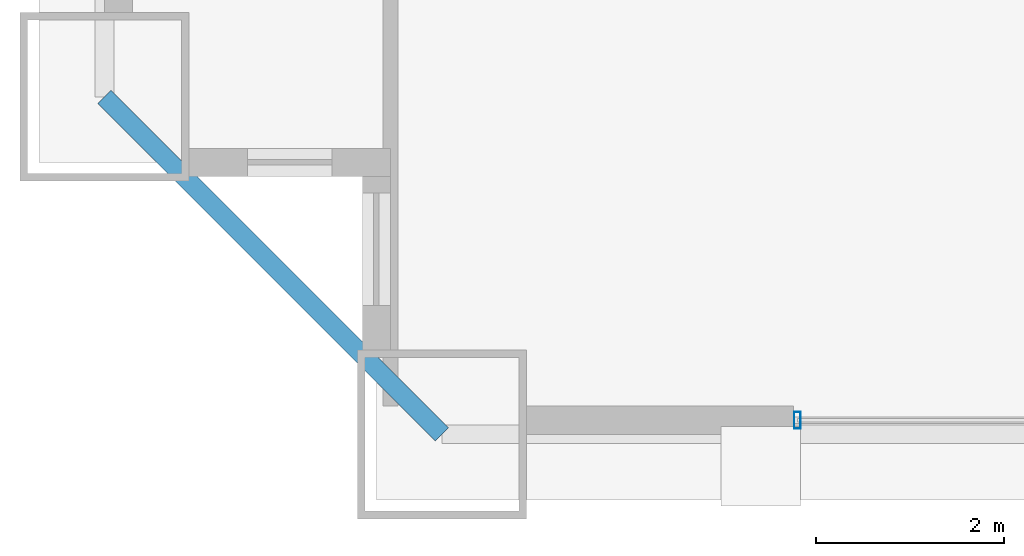
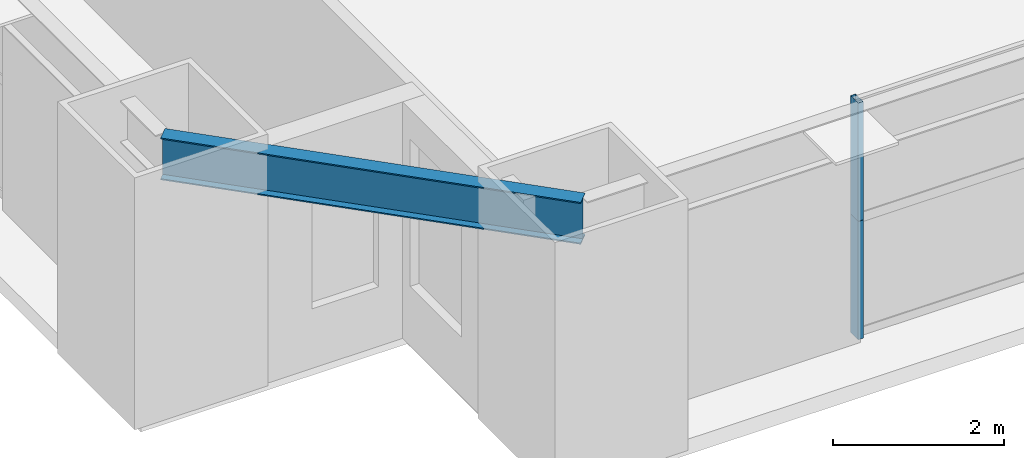
# One storey, part 3 of 45: 2 members, 1 beam, 1 element without a shape of its own.
"""IFC4 building model written with IfcOpenShell, lengths in metres."""

from ifc_helpers import new_model, si_unit, direction, frame, origin, origin_2d, place, context, subcontext, project, spatial, hollow_rectangle, i_section, extrude, source, transform, mapped, material, layer, layer_set, material_profile, profile_set, type_object, element, aggregate, save


model = new_model("IFC4")

# Units and contexts
model_context = context("Model", 3, precision=1e-05, world=origin(), true_north=direction((0.0, 1.0)))
body_context = subcontext(model_context, "Body", "Model", "MODEL_VIEW")
ifc_project = project(units=[si_unit("LENGTHUNIT", "METRE"), si_unit("AREAUNIT", "SQUARE_METRE"), si_unit("VOLUMEUNIT", "CUBIC_METRE"), si_unit("PLANEANGLEUNIT", "RADIAN"), si_unit("MASSUNIT", "GRAM", prefix="KILO"), si_unit("THERMODYNAMICTEMPERATUREUNIT", "KELVIN"), si_unit("POWERUNIT", "WATT")], contexts=[model_context])

# Site, building, storey
site_placement = place(None, origin())
site = spatial("IfcSite", under=ifc_project, at=site_placement, CompositionType="ELEMENT")
building_placement = place(site_placement, origin())
building = spatial("IfcBuilding", under=site, at=building_placement, Name="Yuzanri Waterfront Tower", CompositionType="ELEMENT")
storey_placement = place(building_placement, frame((0.0, 0.0, 49.60009765625)))
storey = spatial("IfcBuildingStorey", under=building, at=storey_placement, Name="L12", CompositionType="ELEMENT", Elevation=49.60009765625)

# Beam
ifc_material_1 = material(Name="Steel Q355B", Category="steel")
ifc_material_profile_1 = material_profile(ifc_material_1, i_section(OverallWidth=0.199951171875, OverallDepth=0.60009765625, WebThickness=0.010986328125, FlangeThickness=0.01708984375, at=origin_2d()), Name="HN 600x200x11x17")
ifc_profile_set_1 = profile_set([ifc_material_profile_1], Name="Steel Q355B")
beam_type = type_object("IfcBeamType", Name="Perimeter Spandrel Q355B HN 600x200", PredefinedType="SPANDREL", material=ifc_profile_set_1)
shared_shape_1 = source(origin(), body_context, "Body", "SweptSolid", [
    extrude(i_section(OverallWidth=0.199951171875, OverallDepth=0.60009765625, WebThickness=0.010986328125, FlangeThickness=0.01708984375, at=origin_2d()), origin(), (0.0, 0.0, 1.0), 5.09130859375),
])
beam_placement = place(storey_placement, frame((11.89990234375, 4.300048828125, 3.079833984375), z_axis=(0.707106781187, -0.707106781187, 0.0), x_axis=(0.707106781187, 0.707106781187, 0.0)))
element("IfcBeam", 1, at=beam_placement, inside=storey, type_object=beam_type, Name="L12 Perimeter Spandrel W1-S1", PredefinedType="SPANDREL", context=body_context, shape_type="MappedRepresentation", body=[
    mapped(shared_shape_1, transform((0.0, 0.0, 0.0), scale=1.0)),
])

# Curtain wall, members
ifc_material_2 = material(Name="Anodized Architectural Bronze", Category="metal")
ifc_layer = layer(ifc_material_2, 0.159912109375)
ifc_layer_set = layer_set([ifc_layer], Name="Anodized Architectural Bronze")
curtain_wall_type = type_object("IfcCurtainWallType", Name="Anodized Bronze Hotel Lower-Tier Recessed Unitized Curtain Wall 8100", PredefinedType="NOTDEFINED", material=ifc_layer_set)
curtain_wall_placement = place(storey_placement, origin())
curtain_wall = element("IfcCurtainWall", 2, at=curtain_wall_placement, inside=storey, type_object=curtain_wall_type, Name="L12 Curtain Wall CW-L12-SL1", PredefinedType="NOTDEFINED")
ifc_material_3 = material(Name="Anodized Architectural Bronze", Category="metal")
ifc_material_profile_2 = material_profile(ifc_material_3, hollow_rectangle(XDim=0.070068359375, YDim=0.179931640625, WallThickness=0.00390625, at=origin_2d()), Name="CWM 70x180")
ifc_profile_set_2 = profile_set([ifc_material_profile_2], Name="Anodized Architectural Bronze")
member_type = type_object("IfcMemberType", Name="Anodized Bronze Standard Curtain-Wall Mullion 70x180", PredefinedType="MULLION", material=ifc_profile_set_2)
shared_shape_2 = source(origin(), body_context, "Body", "SweptSolid", [
    extrude(hollow_rectangle(XDim=0.070068359375, YDim=0.179931640625, WallThickness=0.00390625, at=origin_2d()), origin(), (0.0, 0.0, 1.0), 1.68798828125),
])
member_1_placement = place(storey_placement, frame((19.2900390625, 0.85009765625, 0.0), z_axis=(0.0, 0.0, 1.0), x_axis=(1.0, 0.0, 0.0)))
member_1 = element("IfcMember", 3, at=member_1_placement, type_object=member_type, Name="CW-L12-SL1 Lower Mullion 00", PredefinedType="MULLION", context=body_context, shape_type="MappedRepresentation", body=[
    mapped(shared_shape_2, transform((0.0, 0.0, 0.0), scale=1.0)),
])
member_2_placement = place(storey_placement, frame((19.2900390625, 0.85009765625, 1.69189453125), z_axis=(0.0, 0.0, 1.0), x_axis=(1.0, 0.0, 0.0)))
member_2 = element("IfcMember", 4, at=member_2_placement, type_object=member_type, Name="CW-L12-SL1 Upper Mullion 00", PredefinedType="MULLION", context=body_context, shape_type="MappedRepresentation", body=[
    mapped(shared_shape_2, transform((0.0, 0.0, 0.0), scale=1.0)),
])
aggregate(curtain_wall, [member_1, member_2])

save(model, "model.ifc")
